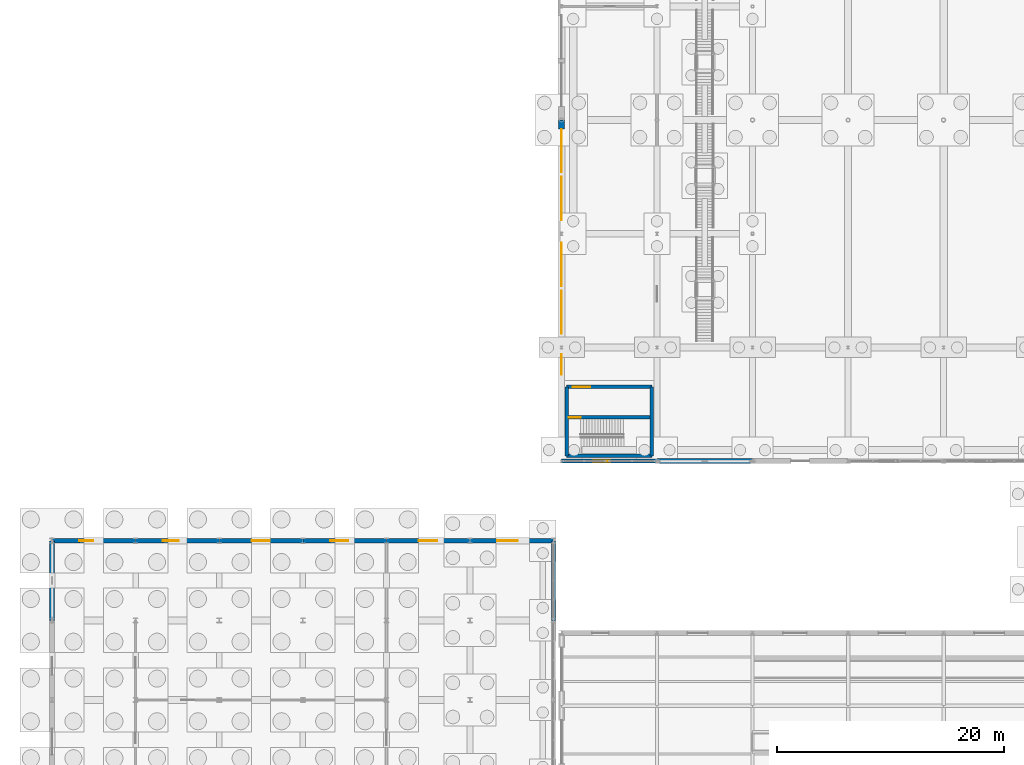
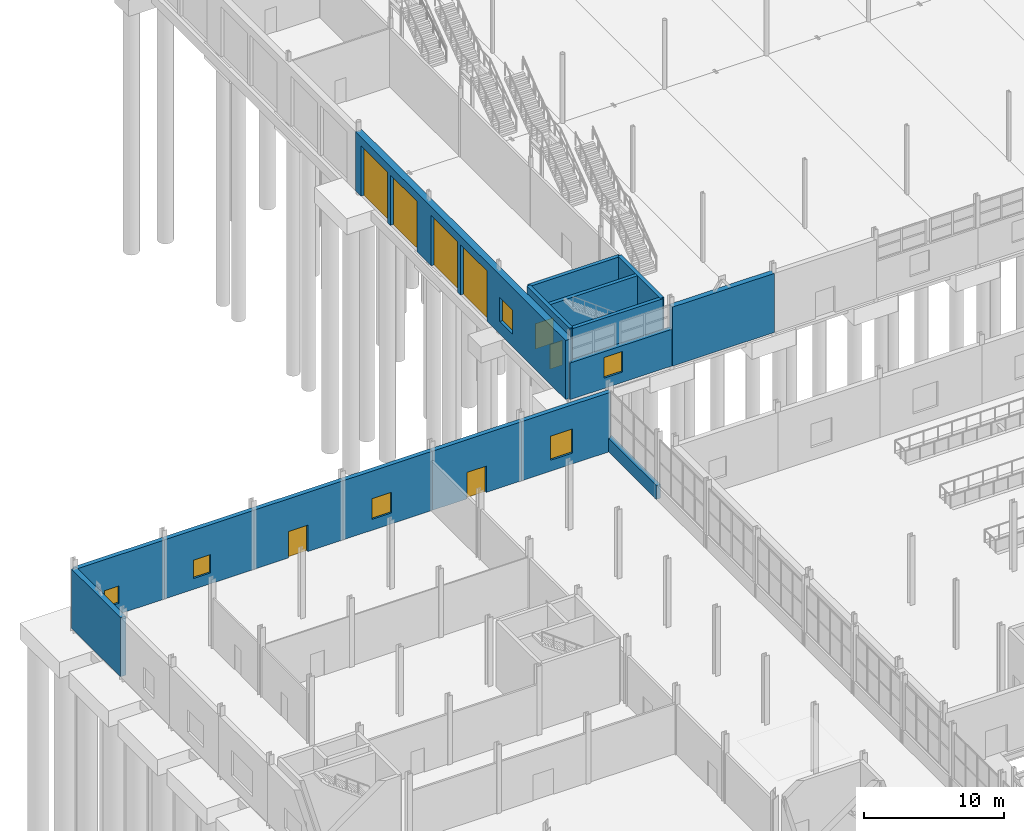
# One storey, part 124 of 139: 16 walls, 8 doors, 6 windows, 14 openings.
"""IFC4 building model written with IfcOpenShell, lengths in metres."""

import ifcopenshell
import ifcopenshell.guid

model = None  # the IFC model being written
_history = None  # IfcOwnerHistory: only IFC2X3 demands one
_inside = {}  # id of a spatial element -> (the spatial element, [elements in it])
_under = {}  # id of a project, library or spatial element -> (it, [spatial elements below it])
_declared = {}  # id of a project -> (the project, [libraries it declares])
_typed = {}  # id of a type object -> (the type object, [elements of that type])
_made_of = {}  # id of a material, layer set ... -> (it, [elements and type objects made of it])


def new_model(schema):
    """Start an empty IFC model of exactly this schema.

    Asked for "IFC4X3", IfcOpenShell would pick the latest addendum, in which some entities
    have other attributes; the version numbers below select the first issue.
    IFC2X3 requires an IfcOwnerHistory on every rooted entity: one is made here for all.
    """
    global model, _history
    if schema == "IFC4X3":
        model = ifcopenshell.file(schema_version=(4, 3, 0, 0))
    else:
        model = ifcopenshell.file(schema=schema)
    _inside.clear()
    _under.clear()
    _declared.clear()
    _typed.clear()
    _made_of.clear()
    _history = None
    if model.schema == "IFC2X3":
        org = make("IfcOrganization", Name="unknown")
        user = make(
            "IfcPersonAndOrganization",
            ThePerson=make("IfcPerson", FamilyName="unknown"),
            TheOrganization=org,
        )
        app = make(
            "IfcApplication",
            ApplicationDeveloper=org,
            Version="unknown",
            ApplicationFullName="unknown",
            ApplicationIdentifier="unknown",
        )
        _history = make(
            "IfcOwnerHistory",
            OwningUser=user,
            OwningApplication=app,
            ChangeAction="ADDED",
            CreationDate=0,
        )
    return model


def make(cls, **values):
    """One entity of the class cls with the attributes given. An attribute that is None is left unset."""
    return model.create_entity(
        cls, **{name: value for name, value in values.items() if value is not None}
    )


def rooted(cls, **values):
    """An entity with a GlobalId (a new one), such as an element, a storey or a relation."""
    return make(cls, GlobalId=ifcopenshell.guid.new(), OwnerHistory=_history, **values)


def si_unit(unit_type, name, prefix=None):
    """IfcSIUnit, for example si_unit("LENGTHUNIT", "METRE", prefix="MILLI")."""
    return make("IfcSIUnit", UnitType=unit_type, Prefix=prefix, Name=name)


def assignment(units):
    """IfcUnitAssignment: the units of a project."""
    return None if units is None else make("IfcUnitAssignment", Units=units)


def point(xyz):
    """IfcCartesianPoint."""
    return None if xyz is None else make("IfcCartesianPoint", Coordinates=xyz)


def direction(xyz):
    """IfcDirection."""
    return None if xyz is None else make("IfcDirection", DirectionRatios=xyz)


def frame(location, z_axis=None, x_axis=None):
    """IfcAxis2Placement3D, a coordinate frame: its origin and axes. An axis left out is left unset."""
    return make(
        "IfcAxis2Placement3D",
        Location=point(location),
        Axis=direction(z_axis),
        RefDirection=direction(x_axis),
    )


def frame_2d(location, x_axis=None):
    """IfcAxis2Placement2D, a coordinate frame in the plane: its origin and x axis."""
    return make(
        "IfcAxis2Placement2D", Location=point(location), RefDirection=direction(x_axis)
    )


def origin():
    """The frame at (0, 0, 0) with its axes left unset."""
    return frame((0.0, 0.0, 0.0))


def place(relative_to, where):
    """IfcLocalPlacement: puts the frame where relative to a parent placement (None: the world)."""
    return make(
        "IfcLocalPlacement", PlacementRelTo=relative_to, RelativePlacement=where
    )


def context(
    kind, dimensions, precision=None, world=None, true_north=None, identifier=None
):
    """IfcGeometricRepresentationContext, for example the 3D "Model" context."""
    return make(
        "IfcGeometricRepresentationContext",
        ContextIdentifier=identifier,
        ContextType=kind,
        CoordinateSpaceDimension=dimensions,
        Precision=precision,
        WorldCoordinateSystem=world,
        TrueNorth=true_north,
    )


def subcontext(parent, identifier, kind, view, scale=None):
    """IfcGeometricRepresentationSubContext, for example "Body" below "Model"."""
    return make(
        "IfcGeometricRepresentationSubContext",
        ContextIdentifier=identifier,
        ContextType=kind,
        ParentContext=parent,
        TargetScale=scale,
        TargetView=view,
    )


def project(units=None, contexts=None):
    """IfcProject with its units and contexts."""
    return rooted(
        "IfcProject",
        Name="project",
        RepresentationContexts=contexts,
        UnitsInContext=assignment(units),
    )


def spatial(cls, under=None, at=None, **own):
    """A site, building, storey or space (cls), placed at a placement, below another one or the project."""
    s = rooted(cls, ObjectPlacement=at, **own)
    if under is not None:
        _under.setdefault(under.id(), (under, []))[1].append(s)
    return s


def profile(cls, at=None, kind="AREA", **sizes):
    """A parametric profile (cls). Its sizes go by their IFC names, for example OverallWidth=200.0."""
    return make(cls, ProfileType=kind, Position=at, **sizes)


def rectangle(**sizes):
    """IfcRectangleProfileDef."""
    return profile("IfcRectangleProfileDef", **sizes)


def extrude(swept, where, along, depth):
    """IfcExtrudedAreaSolid: the profile swept, set in the frame where, extruded along a direction by depth."""
    return make(
        "IfcExtrudedAreaSolid",
        SweptArea=swept,
        Position=where,
        ExtrudedDirection=direction(along),
        Depth=depth,
    )


def shape(context_of_items, identifier, shape_type, items):
    """IfcShapeRepresentation: the items that make up one representation, for example the "Body"."""
    return make(
        "IfcShapeRepresentation",
        ContextOfItems=context_of_items,
        RepresentationIdentifier=identifier,
        RepresentationType=shape_type,
        Items=items,
    )


def material(Name=None, Category=None):
    """IfcMaterial."""
    return make("IfcMaterial", Name=Name, Category=Category)


def layer(
    of_material, thickness, ventilated=None, Name=None, Category=None, Priority=None
):
    """IfcMaterialLayer: one layer of a wall or slab, of a material (None: an air gap)."""
    return make(
        "IfcMaterialLayer",
        Material=of_material,
        LayerThickness=thickness,
        IsVentilated=ventilated,
        Name=Name,
        Category=Category,
        Priority=Priority,
    )


def layer_set(layers, Name=None):
    """IfcMaterialLayerSet."""
    return make("IfcMaterialLayerSet", MaterialLayers=layers, LayerSetName=Name)


def made_of(thing, what):
    """Note that an element or type object is made of a material, layer set ...; save() writes the relation."""
    if what is not None:
        _made_of.setdefault(what.id(), (what, []))[1].append(thing)
    return thing


def type_object(cls, material=None, **own):
    """A type object (cls), such as IfcWallType, which elements share."""
    return made_of(rooted(cls, **own), material)


def element(
    cls,
    number,
    at=None,
    inside=None,
    cuts=None,
    type_object=None,
    material=None,
    context=None,
    identifier="Body",
    shape_type=None,
    held_by="IfcProductDefinitionShape",
    body=None,
    shapes=None,
    **own,
):
    """One element of the class cls, such as IfcWall. Its Tag is "e" and its number.

    at: its placement. inside: the storey or other place that contains it. cuts: it is an
    opening in that element (IfcRelVoidsElement). A single representation is given by context,
    identifier, shape_type and body (its items); several are given by shapes. held_by: the class
    of the entity that holds the representations. save() writes the other relations.
    """
    e = rooted(cls, Tag="e%d" % number, ObjectPlacement=at, **own)
    if body is not None:
        shapes = [shape(context, identifier, shape_type, body)]
    if shapes is not None:
        e.Representation = make(held_by, Representations=shapes)
    if inside is not None:
        _inside.setdefault(inside.id(), (inside, []))[1].append(e)
    if cuts is not None:
        rooted(
            "IfcRelVoidsElement", RelatingBuildingElement=cuts, RelatedOpeningElement=e
        )
    if type_object is not None:
        _typed.setdefault(type_object.id(), (type_object, []))[1].append(e)
    return made_of(e, material)


def fill(opening, filler):
    """IfcRelFillsElement: the door or window that sits in an opening."""
    return rooted(
        "IfcRelFillsElement",
        RelatingOpeningElement=opening,
        RelatedBuildingElement=filler,
    )


def aggregate(whole, parts):
    """IfcRelAggregates: a whole, such as a stair, and the parts it consists of."""
    return rooted("IfcRelAggregates", RelatingObject=whole, RelatedObjects=parts)


def save(model, path):
    """Write the relations noted so far, then the file.

    IfcRelAggregates (storeys below a building ...), IfcRelContainedInSpatialStructure (elements
    in a storey), IfcRelDefinesByType, IfcRelAssociatesMaterial and IfcRelDeclares: one each for
    every whole, place, type object, material and project.
    """
    for whole, parts in _under.values():
        aggregate(whole, parts)
    for where, things in _inside.values():
        rooted(
            "IfcRelContainedInSpatialStructure",
            RelatedElements=things,
            RelatingStructure=where,
        )
    for kind, things in _typed.values():
        rooted("IfcRelDefinesByType", RelatedObjects=things, RelatingType=kind)
    for what, things in _made_of.values():
        rooted("IfcRelAssociatesMaterial", RelatedObjects=things, RelatingMaterial=what)
    for by, libraries in _declared.values():
        rooted("IfcRelDeclares", RelatingContext=by, RelatedDefinitions=libraries)
    model.write(path)


model = new_model("IFC4")

# Units and contexts
model_context = context("Model", 3, precision=1e-05, world=origin(), true_north=direction((0.0, 1.0)))
body_context = subcontext(model_context, "Body", "Model", "MODEL_VIEW")
ifc_project = project(units=[si_unit("LENGTHUNIT", "METRE"), si_unit("AREAUNIT", "SQUARE_METRE"), si_unit("VOLUMEUNIT", "CUBIC_METRE"), si_unit("PLANEANGLEUNIT", "RADIAN"), si_unit("MASSUNIT", "GRAM", prefix="KILO")], contexts=[model_context])

# Site, building, storey
site_placement = place(None, origin())
site = spatial("IfcSite", under=ifc_project, at=site_placement, CompositionType="ELEMENT")
building_placement = place(site_placement, origin())
building = spatial("IfcBuilding", under=site, at=building_placement, Name="Kazenagashi Tramway Depot", CompositionType="ELEMENT")
storey_placement = place(building_placement, origin())
storey = spatial("IfcBuildingStorey", under=building, at=storey_placement, Name="L01", CompositionType="ELEMENT", Elevation=0.0)

# Walls
ifc_material_1 = material(Name="Clay Brick Masonry JIS R 1250 Class 1 (20 MPa)", Category="masonry")
ifc_layer_1 = layer(ifc_material_1, 0.43)
ifc_layer_set_1 = layer_set([ifc_layer_1], Name="Clay Brick Masonry JIS R 1250 Class 1 (20 MPa)")
wall_type_1 = type_object("IfcWallType", Name="W-BK1", PredefinedType="SOLIDWALL", material=ifc_layer_set_1)
wall_1_placement = place(storey_placement, frame((53.2, 70.0, 0.0), z_axis=(0.0, 0.0, 1.0), x_axis=(1.0, 0.0, 0.0)))
element("IfcWall", 1, at=wall_1_placement, inside=storey, type_object=wall_type_1, Name="Exterior Brick Wall W-BK1 EWALL-0009", PredefinedType="SOLIDWALL", context=body_context, shape_type="SweptSolid", body=[
    extrude(rectangle(XDim=8.4, YDim=0.43, at=frame_2d((4.2, 0.0))), origin(), (0.0, 0.0, 1.0), 5.14),
])
wall_2_placement = place(storey_placement, frame((0.0, 56.0, 0.0), z_axis=(0.0, 0.0, 1.0), x_axis=(0.0, 1.0, 0.0)))
element("IfcWall", 2, at=wall_2_placement, inside=storey, type_object=wall_type_1, Name="Exterior Brick Wall W-BK1 EWALL-0236", PredefinedType="SOLIDWALL", context=body_context, shape_type="SweptSolid", body=[
    extrude(rectangle(XDim=7.0, YDim=0.43, at=frame_2d((3.5, 0.0))), origin(), (0.0, 0.0, 1.0), 5.15),
])

# Wall, opening, window
ifc_layer_2 = layer(ifc_material_1, 0.36)
ifc_layer_set_2 = layer_set([ifc_layer_2], Name="Clay Brick Masonry JIS R 1250 Class 1 (20 MPa)")
wall_type_2 = type_object("IfcWallType", Name="W-BK2", PredefinedType="SOLIDWALL", material=ifc_layer_set_2)
wall_3_placement = place(storey_placement, frame((44.8, 70.0, 0.0), z_axis=(0.0, 0.0, 1.0), x_axis=(1.0, 0.0, 0.0)))
wall_3 = element("IfcWall", 3, at=wall_3_placement, inside=storey, type_object=wall_type_2, Name="Exterior Brick Wall W-BK2 EWALL-0008", PredefinedType="SOLIDWALL", context=body_context, shape_type="SweptSolid", body=[
    extrude(rectangle(XDim=8.4, YDim=0.36, at=frame_2d((4.2, 0.0))), origin(), (0.0, 0.0, 1.0), 3.2),
])
opening_1_placement = place(wall_3_placement, frame((2.8, 0.0, 0.9)))
opening_1 = element("IfcOpeningElement", 4, at=opening_1_placement, cuts=wall_3, Name="Opening WN-03", PredefinedType="OPENING", context=body_context, shape_type="SweptSolid", body=[
    extrude(rectangle(XDim=1.5, YDim=1.8, at=frame_2d((0.75, 0.9))), frame((0.0, 0.19, 0.0), z_axis=(0.0, -1.0, 0.0), x_axis=(1.0, 0.0, 0.0)), (0.0, 0.0, 1.0), 0.38),
])
ifc_material_2 = material(Name="Anodised Aluminium and Tempered Low-E Glass", Category="aluminium")
window_type_1 = type_object("IfcWindowType", Name="WN-03", PartitioningType="SINGLE_PANEL", PredefinedType="WINDOW", material=ifc_material_2)
window_1_placement = place(opening_1_placement, origin())
window_1 = element("IfcWindow", 5, at=window_1_placement, inside=storey, type_object=window_type_1, Name="Window WN-03 WIN-0003", OverallHeight=1.8, OverallWidth=1.5, PartitioningType="SINGLE_PANEL", PredefinedType="WINDOW", context=body_context, shape_type="SweptSolid", body=[
    extrude(rectangle(XDim=1.5, YDim=1.8, at=frame_2d((0.75, 0.9))), frame((0.0, 0.03, 0.0), z_axis=(0.0, -1.0, 0.0), x_axis=(1.0, 0.0, 0.0)), (0.0, 0.0, 1.0), 0.06),
])
fill(opening_1, window_1)

wall_4_placement = place(storey_placement, frame((0.0, 63.0, 0.0), z_axis=(0.0, 0.0, 1.0), x_axis=(1.0, 0.0, 0.0)))
wall_4 = element("IfcWall", 6, at=wall_4_placement, inside=storey, type_object=wall_type_2, Name="Exterior Brick Wall W-BK2 EWALL-0182", PredefinedType="SOLIDWALL", context=body_context, shape_type="SweptSolid", body=[
    extrude(rectangle(XDim=7.35, YDim=0.36, at=frame_2d((3.675, 0.0))), origin(), (0.0, 0.0, 1.0), 5.15),
])
opening_2_placement = place(wall_4_placement, frame((2.4, 0.0, 0.95)))
opening_2 = element("IfcOpeningElement", 7, at=opening_2_placement, cuts=wall_4, Name="Opening WN-01", PredefinedType="OPENING", context=body_context, shape_type="SweptSolid", body=[
    extrude(rectangle(XDim=1.2, YDim=1.5, at=frame_2d((0.6, 0.75))), frame((0.0, 0.19, 0.0), z_axis=(0.0, -1.0, 0.0), x_axis=(1.0, 0.0, 0.0)), (0.0, 0.0, 1.0), 0.38),
])
window_type_2 = type_object("IfcWindowType", Name="WN-01", PartitioningType="SINGLE_PANEL", PredefinedType="WINDOW", material=ifc_material_2)
window_2_placement = place(opening_2_placement, origin())
window_2 = element("IfcWindow", 8, at=window_2_placement, inside=storey, type_object=window_type_2, Name="Window WN-01 WIN-0172", OverallHeight=1.5, OverallWidth=1.2, PartitioningType="SINGLE_PANEL", PredefinedType="WINDOW", context=body_context, shape_type="SweptSolid", body=[
    extrude(rectangle(XDim=1.2, YDim=1.5, at=frame_2d((0.6, 0.75))), frame((0.0, 0.03, 0.0), z_axis=(0.0, -1.0, 0.0), x_axis=(1.0, 0.0, 0.0)), (0.0, 0.0, 1.0), 0.06),
])
fill(opening_2, window_2)

wall_5_placement = place(storey_placement, frame((7.35, 63.0, 0.0), z_axis=(0.0, 0.0, 1.0), x_axis=(1.0, 0.0, 0.0)))
wall_5 = element("IfcWall", 9, at=wall_5_placement, inside=storey, type_object=wall_type_2, Name="Exterior Brick Wall W-BK2 EWALL-0185", PredefinedType="SOLIDWALL", context=body_context, shape_type="SweptSolid", body=[
    extrude(rectangle(XDim=7.35, YDim=0.36, at=frame_2d((3.675, 0.0))), origin(), (0.0, 0.0, 1.0), 5.15),
])
opening_3_placement = place(wall_5_placement, frame((2.4, 0.0, 0.95)))
opening_3 = element("IfcOpeningElement", 10, at=opening_3_placement, cuts=wall_5, Name="Opening WN-02", PredefinedType="OPENING", context=body_context, shape_type="SweptSolid", body=[
    extrude(rectangle(XDim=1.4, YDim=1.6, at=frame_2d((0.7, 0.8))), frame((0.0, 0.19, 0.0), z_axis=(0.0, -1.0, 0.0), x_axis=(1.0, 0.0, 0.0)), (0.0, 0.0, 1.0), 0.38),
])
window_type_3 = type_object("IfcWindowType", Name="WN-02", PartitioningType="SINGLE_PANEL", PredefinedType="WINDOW", material=ifc_material_2)
window_3_placement = place(opening_3_placement, origin())
window_3 = element("IfcWindow", 11, at=window_3_placement, inside=storey, type_object=window_type_3, Name="Window WN-02 WIN-0174", OverallHeight=1.6, OverallWidth=1.4, PartitioningType="SINGLE_PANEL", PredefinedType="WINDOW", context=body_context, shape_type="SweptSolid", body=[
    extrude(rectangle(XDim=1.4, YDim=1.6, at=frame_2d((0.7, 0.8))), frame((0.0, 0.03, 0.0), z_axis=(0.0, -1.0, 0.0), x_axis=(1.0, 0.0, 0.0)), (0.0, 0.0, 1.0), 0.06),
])
fill(opening_3, window_3)

# Wall, opening, door
wall_6_placement = place(storey_placement, frame((14.7, 63.0, 0.0), z_axis=(0.0, 0.0, 1.0), x_axis=(1.0, 0.0, 0.0)))
wall_6 = element("IfcWall", 12, at=wall_6_placement, inside=storey, type_object=wall_type_2, Name="Exterior Brick Wall W-BK2 EWALL-0188", PredefinedType="SOLIDWALL", context=body_context, shape_type="SweptSolid", body=[
    extrude(rectangle(XDim=7.35, YDim=0.36, at=frame_2d((3.675, 0.0))), origin(), (0.0, 0.0, 1.0), 5.15),
])
opening_4_placement = place(wall_6_placement, frame((2.85, 0.0, 0.0)))
opening_4 = element("IfcOpeningElement", 13, at=opening_4_placement, cuts=wall_6, Name="Opening D-016", PredefinedType="OPENING", context=body_context, shape_type="SweptSolid", body=[
    extrude(rectangle(XDim=1.6, YDim=2.3, at=frame_2d((0.8, 1.15))), frame((0.0, 0.19, 0.0), z_axis=(0.0, -1.0, 0.0), x_axis=(1.0, 0.0, 0.0)), (0.0, 0.0, 1.0), 0.38),
])
ifc_material_3 = material(Name="Anodised Aluminium and Laminated Glass", Category="aluminium")
door_type_1 = type_object("IfcDoorType", Name="DT-02", OperationType="NOTDEFINED", PredefinedType="DOOR", material=ifc_material_3)
door_1_placement = place(opening_4_placement, origin())
door_1 = element("IfcDoor", 14, at=door_1_placement, inside=storey, type_object=door_type_1, Name="North Civic Wing Final Exit Door D-016", OperationType="DOUBLE_DOOR_SINGLE_SWING", OverallHeight=2.3, OverallWidth=1.6, PredefinedType="DOOR", context=body_context, shape_type="SweptSolid", body=[
    extrude(rectangle(XDim=1.6, YDim=2.3, at=frame_2d((0.8, 1.15))), frame((0.0, 0.025, 0.0), z_axis=(0.0, -1.0, 0.0), x_axis=(1.0, 0.0, 0.0)), (0.0, 0.0, 1.0), 0.05),
])
fill(opening_4, door_1)

# Wall, opening, window
wall_7_placement = place(storey_placement, frame((22.05, 63.0, 0.0), z_axis=(0.0, 0.0, 1.0), x_axis=(1.0, 0.0, 0.0)))
wall_7 = element("IfcWall", 15, at=wall_7_placement, inside=storey, type_object=wall_type_2, Name="Exterior Brick Wall W-BK2 EWALL-0191", PredefinedType="SOLIDWALL", context=body_context, shape_type="SweptSolid", body=[
    extrude(rectangle(XDim=7.35, YDim=0.36, at=frame_2d((3.675, 0.0))), origin(), (0.0, 0.0, 1.0), 5.15),
])
opening_5_placement = place(wall_7_placement, frame((2.4, 0.0, 0.95)))
opening_5 = element("IfcOpeningElement", 16, at=opening_5_placement, cuts=wall_7, Name="Opening WN-04", PredefinedType="OPENING", context=body_context, shape_type="SweptSolid", body=[
    extrude(rectangle(XDim=1.6, YDim=1.8, at=frame_2d((0.8, 0.9))), frame((0.0, 0.19, 0.0), z_axis=(0.0, -1.0, 0.0), x_axis=(1.0, 0.0, 0.0)), (0.0, 0.0, 1.0), 0.38),
])
window_type_4 = type_object("IfcWindowType", Name="WN-04", PartitioningType="SINGLE_PANEL", PredefinedType="WINDOW", material=ifc_material_2)
window_4_placement = place(opening_5_placement, origin())
window_4 = element("IfcWindow", 17, at=window_4_placement, inside=storey, type_object=window_type_4, Name="Window WN-04 WIN-0177", OverallHeight=1.8, OverallWidth=1.6, PartitioningType="SINGLE_PANEL", PredefinedType="WINDOW", context=body_context, shape_type="SweptSolid", body=[
    extrude(rectangle(XDim=1.6, YDim=1.8, at=frame_2d((0.8, 0.9))), frame((0.0, 0.03, 0.0), z_axis=(0.0, -1.0, 0.0), x_axis=(1.0, 0.0, 0.0)), (0.0, 0.0, 1.0), 0.06),
])
fill(opening_5, window_4)

# Wall, opening, door
wall_8_placement = place(storey_placement, frame((29.4, 63.0, 0.0), z_axis=(0.0, 0.0, 1.0), x_axis=(1.0, 0.0, 0.0)))
wall_8 = element("IfcWall", 18, at=wall_8_placement, inside=storey, type_object=wall_type_2, Name="Exterior Brick Wall W-BK2 EWALL-0194", PredefinedType="SOLIDWALL", context=body_context, shape_type="SweptSolid", body=[
    extrude(rectangle(XDim=7.35, YDim=0.36, at=frame_2d((3.675, 0.0))), origin(), (0.0, 0.0, 1.0), 5.15),
])
opening_6_placement = place(wall_8_placement, frame((2.85, 0.0, 0.0)))
opening_6 = element("IfcOpeningElement", 19, at=opening_6_placement, cuts=wall_8, Name="Opening D-018", PredefinedType="OPENING", context=body_context, shape_type="SweptSolid", body=[
    extrude(rectangle(XDim=1.6, YDim=2.3, at=frame_2d((0.8, 1.15))), frame((0.0, 0.19, 0.0), z_axis=(0.0, -1.0, 0.0), x_axis=(1.0, 0.0, 0.0)), (0.0, 0.0, 1.0), 0.38),
])
door_2_placement = place(opening_6_placement, origin())
door_2 = element("IfcDoor", 20, at=door_2_placement, inside=storey, type_object=door_type_1, Name="North Civic Wing Final Exit Door D-018", OperationType="DOUBLE_DOOR_SINGLE_SWING", OverallHeight=2.3, OverallWidth=1.6, PredefinedType="DOOR", context=body_context, shape_type="SweptSolid", body=[
    extrude(rectangle(XDim=1.6, YDim=2.3, at=frame_2d((0.8, 1.15))), frame((0.0, 0.025, 0.0), z_axis=(0.0, -1.0, 0.0), x_axis=(1.0, 0.0, 0.0)), (0.0, 0.0, 1.0), 0.05),
])
fill(opening_6, door_2)

# Wall, opening, window
wall_9_placement = place(storey_placement, frame((36.75, 63.0, 0.0), z_axis=(0.0, 0.0, 1.0), x_axis=(1.0, 0.0, 0.0)))
wall_9 = element("IfcWall", 21, at=wall_9_placement, inside=storey, type_object=wall_type_2, Name="Exterior Brick Wall W-BK2 EWALL-0197", PredefinedType="SOLIDWALL", context=body_context, shape_type="SweptSolid", body=[
    extrude(rectangle(XDim=7.35, YDim=0.36, at=frame_2d((3.675, 0.0))), origin(), (0.0, 0.0, 1.0), 5.15),
])
opening_7_placement = place(wall_9_placement, frame((2.4, 0.0, 0.95)))
opening_7 = element("IfcOpeningElement", 22, at=opening_7_placement, cuts=wall_9, Name="Opening WN-06", PredefinedType="OPENING", context=body_context, shape_type="SweptSolid", body=[
    extrude(rectangle(XDim=1.8, YDim=2.1, at=frame_2d((0.9, 1.05))), frame((0.0, 0.19, 0.0), z_axis=(0.0, -1.0, 0.0), x_axis=(1.0, 0.0, 0.0)), (0.0, 0.0, 1.0), 0.38),
])
window_type_5 = type_object("IfcWindowType", Name="WN-06", PartitioningType="SINGLE_PANEL", PredefinedType="WINDOW", material=ifc_material_2)
window_5_placement = place(opening_7_placement, origin())
window_5 = element("IfcWindow", 23, at=window_5_placement, inside=storey, type_object=window_type_5, Name="Window WN-06 WIN-0180", OverallHeight=2.1, OverallWidth=1.8, PartitioningType="SINGLE_PANEL", PredefinedType="WINDOW", context=body_context, shape_type="SweptSolid", body=[
    extrude(rectangle(XDim=1.8, YDim=2.1, at=frame_2d((0.9, 1.05))), frame((0.0, 0.03, 0.0), z_axis=(0.0, -1.0, 0.0), x_axis=(1.0, 0.0, 0.0)), (0.0, 0.0, 1.0), 0.06),
])
fill(opening_7, window_5)

# Wall
wall_10_placement = place(storey_placement, frame((44.1, 56.0, 0.0), z_axis=(0.0, 0.0, 1.0), x_axis=(0.0, 1.0, 0.0)))
element("IfcWall", 24, at=wall_10_placement, inside=storey, type_object=wall_type_2, Name="Exterior Brick Wall W-BK2 EWALL-0323", PredefinedType="SOLIDWALL", context=body_context, shape_type="SweptSolid", body=[
    extrude(rectangle(XDim=7.0, YDim=0.36, at=frame_2d((3.5, 0.0))), origin(), (0.0, 0.0, 1.0), 1.2),
])

# Wall, openings, doors, window
ifc_material_4 = material(Name="Clinker Brick Masonry JIS R 1250 Class 1 (24 MPa)", Category="masonry")
ifc_layer_3 = layer(ifc_material_4, 0.54)
ifc_layer_set_3 = layer_set([ifc_layer_3], Name="Clinker Brick Masonry JIS R 1250 Class 1 (24 MPa)")
wall_type_3 = type_object("IfcWallType", Name="W-BK4", PredefinedType="SOLIDWALL", material=ifc_layer_set_3)
wall_11_placement = place(storey_placement, frame((44.8, 70.0, 0.0), z_axis=(0.0, 0.0, 1.0), x_axis=(0.0, 1.0, 0.0)))
wall_11 = element("IfcWall", 25, at=wall_11_placement, inside=storey, type_object=wall_type_3, Name="Exterior Brick Wall W-BK4 EWALL-0001", PredefinedType="SOLIDWALL", context=body_context, shape_type="SweptSolid", body=[
    extrude(rectangle(XDim=30.0, YDim=0.54, at=frame_2d((15.0, 0.0))), origin(), (0.0, 0.0, 1.0), 5.14),
])
opening_8_placement = place(wall_11_placement, frame((7.6, 0.0, 1.1)))
opening_8 = element("IfcOpeningElement", 26, at=opening_8_placement, cuts=wall_11, Name="Opening WN-06", PredefinedType="OPENING", context=body_context, shape_type="SweptSolid", body=[
    extrude(rectangle(XDim=1.8, YDim=2.1, at=frame_2d((0.9, 1.05))), frame((0.0, 0.28, 0.0), z_axis=(0.0, -1.0, 0.0), x_axis=(1.0, 0.0, 0.0)), (0.0, 0.0, 1.0), 0.56),
])
opening_9_placement = place(wall_11_placement, frame((11.2, 0.0, 0.0)))
opening_9 = element("IfcOpeningElement", 27, at=opening_9_placement, cuts=wall_11, Name="Opening RS-02", PredefinedType="OPENING", context=body_context, shape_type="SweptSolid", body=[
    extrude(rectangle(XDim=3.8, YDim=4.4, at=frame_2d((1.9, 2.2))), frame((0.0, 0.28, 0.0), z_axis=(0.0, -1.0, 0.0), x_axis=(1.0, 0.0, 0.0)), (0.0, 0.0, 1.0), 0.56),
])
opening_10_placement = place(wall_11_placement, frame((15.4, 0.0, 0.0)))
opening_10 = element("IfcOpeningElement", 28, at=opening_10_placement, cuts=wall_11, Name="Opening RS-03", PredefinedType="OPENING", context=body_context, shape_type="SweptSolid", body=[
    extrude(rectangle(XDim=3.8, YDim=4.4, at=frame_2d((1.9, 2.2))), frame((0.0, 0.28, 0.0), z_axis=(0.0, -1.0, 0.0), x_axis=(1.0, 0.0, 0.0)), (0.0, 0.0, 1.0), 0.56),
])
opening_11_placement = place(wall_11_placement, frame((21.2, 0.0, 0.0)))
opening_11 = element("IfcOpeningElement", 29, at=opening_11_placement, cuts=wall_11, Name="Opening RS-04", PredefinedType="OPENING", context=body_context, shape_type="SweptSolid", body=[
    extrude(rectangle(XDim=3.8, YDim=4.4, at=frame_2d((1.9, 2.2))), frame((0.0, 0.28, 0.0), z_axis=(0.0, -1.0, 0.0), x_axis=(1.0, 0.0, 0.0)), (0.0, 0.0, 1.0), 0.56),
])
opening_12_placement = place(wall_11_placement, frame((25.4, 0.0, 0.0)))
opening_12 = element("IfcOpeningElement", 30, at=opening_12_placement, cuts=wall_11, Name="Opening RS-05", PredefinedType="OPENING", context=body_context, shape_type="SweptSolid", body=[
    extrude(rectangle(XDim=3.8, YDim=4.4, at=frame_2d((1.9, 2.2))), frame((0.0, 0.28, 0.0), z_axis=(0.0, -1.0, 0.0), x_axis=(1.0, 0.0, 0.0)), (0.0, 0.0, 1.0), 0.56),
])
ifc_material_5 = material(Name="Galvanised Insulated Steel Slats", Category="steel")
door_type_2 = type_object("IfcDoorType", Name="DT-27", OperationType="NOTDEFINED", PredefinedType="DOOR", material=ifc_material_5)
door_3_placement = place(opening_9_placement, origin())
door_3 = element("IfcDoor", 31, at=door_3_placement, inside=storey, type_object=door_type_2, Name="Motorised Vehicle Roller Shutter RS-02", OperationType="ROLLINGUP", OverallHeight=4.4, OverallWidth=3.8, PredefinedType="DOOR", context=body_context, shape_type="SweptSolid", body=[
    extrude(rectangle(XDim=3.8, YDim=4.4, at=frame_2d((1.9, 2.2))), frame((0.0, 0.025, 0.0), z_axis=(0.0, -1.0, 0.0), x_axis=(1.0, 0.0, 0.0)), (0.0, 0.0, 1.0), 0.05),
])
fill(opening_9, door_3)
door_4_placement = place(opening_10_placement, origin())
door_4 = element("IfcDoor", 32, at=door_4_placement, inside=storey, type_object=door_type_2, Name="Motorised Vehicle Roller Shutter RS-03", OperationType="ROLLINGUP", OverallHeight=4.4, OverallWidth=3.8, PredefinedType="DOOR", context=body_context, shape_type="SweptSolid", body=[
    extrude(rectangle(XDim=3.8, YDim=4.4, at=frame_2d((1.9, 2.2))), frame((0.0, 0.025, 0.0), z_axis=(0.0, -1.0, 0.0), x_axis=(1.0, 0.0, 0.0)), (0.0, 0.0, 1.0), 0.05),
])
fill(opening_10, door_4)
door_5_placement = place(opening_11_placement, origin())
door_5 = element("IfcDoor", 33, at=door_5_placement, inside=storey, type_object=door_type_2, Name="Motorised Vehicle Roller Shutter RS-04", OperationType="ROLLINGUP", OverallHeight=4.4, OverallWidth=3.8, PredefinedType="DOOR", context=body_context, shape_type="SweptSolid", body=[
    extrude(rectangle(XDim=3.8, YDim=4.4, at=frame_2d((1.9, 2.2))), frame((0.0, 0.025, 0.0), z_axis=(0.0, -1.0, 0.0), x_axis=(1.0, 0.0, 0.0)), (0.0, 0.0, 1.0), 0.05),
])
fill(opening_11, door_5)
door_6_placement = place(opening_12_placement, origin())
door_6 = element("IfcDoor", 34, at=door_6_placement, inside=storey, type_object=door_type_2, Name="Motorised Vehicle Roller Shutter RS-05", OperationType="ROLLINGUP", OverallHeight=4.4, OverallWidth=3.8, PredefinedType="DOOR", context=body_context, shape_type="SweptSolid", body=[
    extrude(rectangle(XDim=3.8, YDim=4.4, at=frame_2d((1.9, 2.2))), frame((0.0, 0.025, 0.0), z_axis=(0.0, -1.0, 0.0), x_axis=(1.0, 0.0, 0.0)), (0.0, 0.0, 1.0), 0.05),
])
fill(opening_12, door_6)
window_6_placement = place(opening_8_placement, origin())
window_6 = element("IfcWindow", 35, at=window_6_placement, inside=storey, type_object=window_type_5, Name="Window WN-06 WIN-0002", OverallHeight=2.1, OverallWidth=1.8, PartitioningType="SINGLE_PANEL", PredefinedType="WINDOW", context=body_context, shape_type="SweptSolid", body=[
    extrude(rectangle(XDim=1.8, YDim=2.1, at=frame_2d((0.9, 1.05))), frame((0.0, 0.03, 0.0), z_axis=(0.0, -1.0, 0.0), x_axis=(1.0, 0.0, 0.0)), (0.0, 0.0, 1.0), 0.06),
])
fill(opening_8, window_6)

# Wall
ifc_material_6 = material(Name="Concrete Fc36", Category="concrete")
ifc_layer_4 = layer(ifc_material_6, 0.3)
ifc_layer_set_4 = layer_set([ifc_layer_4], Name="Concrete Fc36")
wall_type_4 = type_object("IfcWallType", Name="W-RC1", PredefinedType="SHEAR", material=ifc_layer_set_4)
wall_12_placement = place(storey_placement, frame((45.26, 70.46, -0.35), z_axis=(0.0, 0.0, 1.0), x_axis=(1.0, 0.0, 0.0)))
element("IfcWall", 36, at=wall_12_placement, inside=storey, type_object=wall_type_4, Name="Core Shear Wall W-RC1 IWALL-0217", PredefinedType="SHEAR", context=body_context, shape_type="SweptSolid", body=[
    extrude(rectangle(XDim=7.48, YDim=0.3, at=frame_2d((3.74, 0.0))), origin(), (0.0, 0.0, 1.0), 6.07),
])

# Wall, opening, door
wall_13_placement = place(storey_placement, frame((45.26, 76.54, -0.35), z_axis=(0.0, 0.0, 1.0), x_axis=(1.0, 0.0, 0.0)))
wall_13 = element("IfcWall", 37, at=wall_13_placement, inside=storey, type_object=wall_type_4, Name="Core Shear Wall W-RC1 IWALL-0218", PredefinedType="SHEAR", context=body_context, shape_type="SweptSolid", body=[
    extrude(rectangle(XDim=7.48, YDim=0.3, at=frame_2d((3.74, 0.0))), origin(), (0.0, 0.0, 1.0), 6.07),
])
opening_13_placement = place(wall_13_placement, frame((0.55, 0.0, 0.35)))
opening_13 = element("IfcOpeningElement", 38, at=opening_13_placement, cuts=wall_13, Name="Opening D-123", PredefinedType="OPENING", context=body_context, shape_type="SweptSolid", body=[
    extrude(rectangle(XDim=1.5, YDim=2.2, at=frame_2d((0.75, 1.1))), frame((0.0, 0.16, 0.0), z_axis=(0.0, -1.0, 0.0), x_axis=(1.0, 0.0, 0.0)), (0.0, 0.0, 1.0), 0.32),
])
ifc_material_7 = material(Name="Galvanised Fire-Rated Steel Door", Category="steel")
door_type_3 = type_object("IfcDoorType", Name="DT-05", OperationType="NOTDEFINED", PredefinedType="DOOR", material=ifc_material_7)
door_7_placement = place(opening_13_placement, origin())
door_7 = element("IfcDoor", 39, at=door_7_placement, inside=storey, type_object=door_type_3, Name="Interior Door D-123", OperationType="DOUBLE_DOOR_SINGLE_SWING", OverallHeight=2.2, OverallWidth=1.5, PredefinedType="DOOR", context=body_context, shape_type="SweptSolid", body=[
    extrude(rectangle(XDim=1.5, YDim=2.2, at=frame_2d((0.75, 1.1))), frame((0.0, 0.025, 0.0), z_axis=(0.0, -1.0, 0.0), x_axis=(1.0, 0.0, 0.0)), (0.0, 0.0, 1.0), 0.05),
])
fill(opening_13, door_7)

# Walls
for number, where, z_axis, x_axis, name in (
    (40, (45.26, 70.46, -0.35), (0.0, 0.0, 1.0), (0.0, 1.0, 0.0), "Core Shear Wall W-RC1 IWALL-0219"),
    (41, (52.74, 70.46, -0.35), (0.0, 0.0, 1.0), (0.0, 1.0, 0.0), "Core Shear Wall W-RC1 IWALL-0220"),
):
    element("IfcWall", number, at=place(storey_placement, frame(where, z_axis=z_axis, x_axis=x_axis)), inside=storey, type_object=wall_type_4, Name=name, PredefinedType="SHEAR", context=body_context, shape_type="SweptSolid", body=[
        extrude(rectangle(XDim=6.08, YDim=0.3, at=frame_2d((3.04, 0.0))), origin(), (0.0, 0.0, 1.0), 6.07),
    ])

# Wall, opening, door
wall_14_placement = place(storey_placement, frame((45.26, 73.85, -0.35), z_axis=(0.0, 0.0, 1.0), x_axis=(1.0, 0.0, 0.0)))
wall_14 = element("IfcWall", 42, at=wall_14_placement, inside=storey, type_object=wall_type_4, Name="Core Shear Wall W-RC1 IWALL-0221", PredefinedType="SHEAR", context=body_context, shape_type="SweptSolid", body=[
    extrude(rectangle(XDim=7.48, YDim=0.3, at=frame_2d((3.74, 0.0))), origin(), (0.0, 0.0, 1.0), 6.07),
])
opening_14_placement = place(wall_14_placement, frame((0.185, 0.0, 0.35)))
opening_14 = element("IfcOpeningElement", 43, at=opening_14_placement, cuts=wall_14, Name="Opening D-122", PredefinedType="OPENING", context=body_context, shape_type="SweptSolid", body=[
    extrude(rectangle(XDim=1.05, YDim=2.15, at=frame_2d((0.525, 1.075))), frame((0.0, 0.16, 0.0), z_axis=(0.0, -1.0, 0.0), x_axis=(1.0, 0.0, 0.0)), (0.0, 0.0, 1.0), 0.32),
])
door_type_4 = type_object("IfcDoorType", Name="DT-07", OperationType="NOTDEFINED", PredefinedType="DOOR", material=ifc_material_7)
door_8_placement = place(opening_14_placement, origin())
door_8 = element("IfcDoor", 44, at=door_8_placement, inside=storey, type_object=door_type_4, Name="Interior Door D-122", OperationType="SINGLE_SWING_LEFT", OverallHeight=2.15, OverallWidth=1.05, PredefinedType="DOOR", context=body_context, shape_type="SweptSolid", body=[
    extrude(rectangle(XDim=1.05, YDim=2.15, at=frame_2d((0.525, 1.075))), frame((0.0, 0.025, 0.0), z_axis=(0.0, -1.0, 0.0), x_axis=(1.0, 0.0, 0.0)), (0.0, 0.0, 1.0), 0.05),
])
fill(opening_14, door_8)

save(model, "model.ifc")
